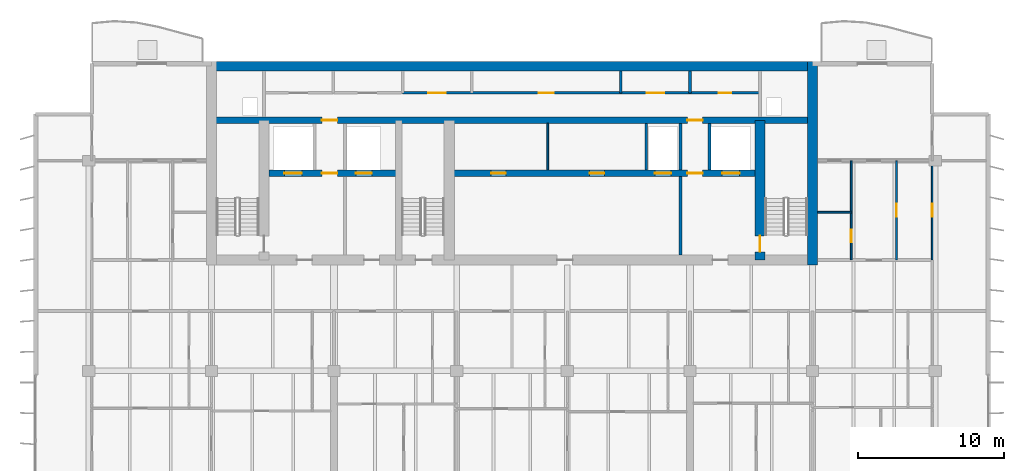
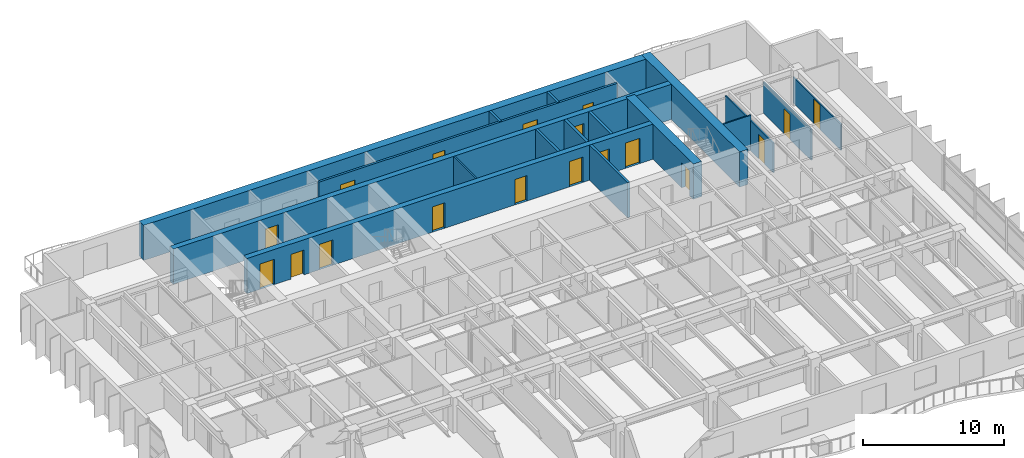
# One storey, part 14 of 19: 18 doors, 17 walls, 18 openings.
"""IFC4 building model written with IfcOpenShell, lengths in metres."""

from ifc_helpers import new_model, si_unit, direction, frame, frame_2d, origin, place, context, subcontext, project, spatial, rectangle, extrude, material, layer, layer_set, type_object, element, fill, save


model = new_model("IFC4")

# Units and contexts
model_context = context("Model", 3, precision=1e-05, world=origin(), true_north=direction((0.0, 1.0)))
body_context = subcontext(model_context, "Body", "Model", "MODEL_VIEW")
ifc_project = project(units=[si_unit("LENGTHUNIT", "METRE"), si_unit("AREAUNIT", "SQUARE_METRE"), si_unit("VOLUMEUNIT", "CUBIC_METRE"), si_unit("PLANEANGLEUNIT", "RADIAN"), si_unit("MASSUNIT", "GRAM", prefix="KILO")], contexts=[model_context])

# Site, building, storey
site_placement = place(None, origin())
site = spatial("IfcSite", under=ifc_project, at=site_placement, CompositionType="ELEMENT")
building_placement = place(site_placement, origin())
building = spatial("IfcBuilding", under=site, at=building_placement, Name="Caelmar Bay Residences", CompositionType="ELEMENT")
storey_placement = place(building_placement, frame((0.0, 0.0, 188.39990234375)))
storey = spatial("IfcBuildingStorey", under=building, at=storey_placement, Name="L52", CompositionType="ELEMENT", Elevation=188.39990234375)

# Wall
ifc_material_1 = material(Name="Concrete f'c 55 MPa (8,000 psi)", Category="concrete")
ifc_layer_1 = layer(ifc_material_1, 0.699951171875)
ifc_layer_set_1 = layer_set([ifc_layer_1], Name="Concrete f'c 55 MPa (8,000 psi)")
wall_type_1 = type_object("IfcWallType", Name="SW-COR-700", PredefinedType="SHEAR", material=ifc_layer_set_1)
wall_1_placement = place(storey_placement, frame((59.5, 36.64990234375, 0.0), z_axis=(0.0, 0.0, 1.0), x_axis=(0.0, 1.0, 0.0)))
element("IfcWall", 1, at=wall_1_placement, inside=storey, type_object=wall_type_1, Name="L52 Rear Core East Shear Wall", PredefinedType="SHEAR", context=body_context, shape_type="SweptSolid", body=[
    extrude(rectangle(XDim=13.9501953125, YDim=0.699951171875, at=frame_2d((6.97509765625, 0.0))), origin(), (0.0, 0.0, 1.0), 3.050048828125),
])

# Wall, opening, door
wall_2_placement = place(storey_placement, frame((55.89990234375, 37.0, 0.0), z_axis=(0.0, 0.0, 1.0), x_axis=(0.0, 1.0, 0.0)))
wall_2 = element("IfcWall", 2, at=wall_2_placement, inside=storey, type_object=wall_type_1, Name="L52 Core Structural Web Wall ST2W", PredefinedType="SHEAR", context=body_context, shape_type="SweptSolid", body=[
    extrude(rectangle(XDim=9.574951171875, YDim=0.699951171875, at=frame_2d((4.78759765625, 0.0))), origin(), (0.0, 0.0, 1.0), 3.050048828125),
])
opening_1_placement = place(wall_2_placement, frame((0.550048828125, 0.0, 0.0)))
opening_1 = element("IfcOpeningElement", 3, at=opening_1_placement, cuts=wall_2, Name="Opening D-L52-110", PredefinedType="OPENING", context=body_context, shape_type="SweptSolid", body=[
    extrude(rectangle(XDim=1.10009765625, YDim=2.14990234375, at=frame_2d((0.550048828125, 1.074951171875))), frame((0.0, 0.35986328125, 0.0), z_axis=(0.0, -1.0, 0.0), x_axis=(1.0, 0.0, 0.0)), (0.0, 0.0, 1.0), 0.719970703125),
])
ifc_material_2 = material(Name="Fire-rated steel and walnut architectural door assembly", Category="steel")
ifc_layer_2 = layer(ifc_material_2, 0.050048828125)
ifc_layer_set_2 = layer_set([ifc_layer_2], Name="Fire-rated steel and walnut architectural door assembly")
door_type_1 = type_object("IfcDoorType", Name="D-STAIR-1100", OperationType="NOTDEFINED", PredefinedType="DOOR", material=ifc_layer_set_2)
door_1_placement = place(opening_1_placement, origin())
door_1 = element("IfcDoor", 4, at=door_1_placement, inside=storey, type_object=door_type_1, Name="L52 Firefighting Lobby East Door", OperationType="SINGLE_SWING_RIGHT", OverallHeight=2.14990234375, OverallWidth=1.10009765625, PredefinedType="DOOR", context=body_context, shape_type="SweptSolid", body=[
    extrude(rectangle(XDim=1.10009765625, YDim=2.14990234375, at=frame_2d((0.550048828125, 1.074951171875))), frame((0.0, 0.02490234375, 0.0), z_axis=(0.0, -1.0, 0.0), x_axis=(1.0, 0.0, 0.0)), (0.0, 0.0, 1.0), 0.050048828125),
])
fill(opening_1, door_1)

# Wall
ifc_layer_3 = layer(ifc_material_1, 0.64990234375)
ifc_layer_set_3 = layer_set([ifc_layer_3], Name="Concrete f'c 55 MPa (8,000 psi)")
wall_type_2 = type_object("IfcWallType", Name="SW-CORN-650", PredefinedType="SHEAR", material=ifc_layer_set_3)
wall_3_placement = place(storey_placement, frame((17.949951171875, 50.27490234375, 0.0), z_axis=(0.0, 0.0, 1.0), x_axis=(1.0, 0.0, 0.0)))
element("IfcWall", 5, at=wall_3_placement, inside=storey, type_object=wall_type_2, Name="L52 Rear Core North Shear Wall", PredefinedType="SHEAR", context=body_context, shape_type="SweptSolid", body=[
    extrude(rectangle(XDim=41.900146484375, YDim=0.64990234375, at=frame_2d((20.9501953125, 0.0))), origin(), (0.0, 0.0, 1.0), 3.050048828125),
])

# Wall, openings, doors
ifc_material_3 = material(Name="Concrete f'c 70 MPa (10,000 psi)", Category="concrete")
ifc_layer_4 = layer(ifc_material_3, 0.449951171875)
ifc_layer_set_4 = layer_set([ifc_layer_4], Name="Concrete f'c 70 MPa (10,000 psi)")
wall_type_3 = type_object("IfcWallType", Name="SW-WEB-450", PredefinedType="SHEAR", material=ifc_layer_set_4)
wall_4_placement = place(storey_placement, frame((22.25, 42.949951171875, 0.0), z_axis=(0.0, 0.0, 1.0), x_axis=(1.0, 0.0, 0.0)))
wall_4 = element("IfcWall", 6, at=wall_4_placement, inside=storey, type_object=wall_type_3, Name="L52 Core Structural Web Wall LFR", PredefinedType="SHEAR", context=body_context, shape_type="SweptSolid", body=[
    extrude(rectangle(XDim=33.300048828125, YDim=0.449951171875, at=frame_2d((16.64990234375, 0.0))), origin(), (0.0, 0.0, 1.0), 3.050048828125),
])
opening_2_placement = place(wall_4_placement, frame((1.050048828125, 0.0, 0.0)))
opening_2 = element("IfcOpeningElement", 7, at=opening_2_placement, cuts=wall_4, Name="Opening LD2", PredefinedType="OPENING", context=body_context, shape_type="SweptSolid", body=[
    extrude(rectangle(XDim=1.199951171875, YDim=2.199951171875, at=frame_2d((0.60009765625, 1.10009765625))), frame((0.0, 0.23486328125, 0.0), z_axis=(0.0, -1.0, 0.0), x_axis=(1.0, 0.0, 0.0)), (0.0, 0.0, 1.0), 0.469970703125),
])
opening_3_placement = place(wall_4_placement, frame((31.050048828125, 0.0, 0.0)))
opening_3 = element("IfcOpeningElement", 8, at=opening_3_placement, cuts=wall_4, Name="Opening LD2", PredefinedType="OPENING", context=body_context, shape_type="SweptSolid", body=[
    extrude(rectangle(XDim=1.199951171875, YDim=2.199951171875, at=frame_2d((0.60009765625, 1.10009765625))), frame((0.0, 0.23486328125, 0.0), z_axis=(0.0, -1.0, 0.0), x_axis=(1.0, 0.0, 0.0)), (0.0, 0.0, 1.0), 0.469970703125),
])
opening_4_placement = place(wall_4_placement, frame((26.449951171875, 0.0, 0.0)))
opening_4 = element("IfcOpeningElement", 9, at=opening_4_placement, cuts=wall_4, Name="Opening LD1", PredefinedType="OPENING", context=body_context, shape_type="SweptSolid", body=[
    extrude(rectangle(XDim=1.10009765625, YDim=2.199951171875, at=frame_2d((0.550048828125, 1.10009765625))), frame((0.0, 0.23486328125, 0.0), z_axis=(0.0, -1.0, 0.0), x_axis=(1.0, 0.0, 0.0)), (0.0, 0.0, 1.0), 0.469970703125),
])
opening_5_placement = place(wall_4_placement, frame((5.949951171875, 0.0, 0.0)))
opening_5 = element("IfcOpeningElement", 10, at=opening_5_placement, cuts=wall_4, Name="Opening LD1", PredefinedType="OPENING", context=body_context, shape_type="SweptSolid", body=[
    extrude(rectangle(XDim=1.10009765625, YDim=2.199951171875, at=frame_2d((0.550048828125, 1.10009765625))), frame((0.0, 0.23486328125, 0.0), z_axis=(0.0, -1.0, 0.0), x_axis=(1.0, 0.0, 0.0)), (0.0, 0.0, 1.0), 0.469970703125),
])
opening_6_placement = place(wall_4_placement, frame((3.625, 0.0, 0.0)))
opening_6 = element("IfcOpeningElement", 11, at=opening_6_placement, cuts=wall_4, Name="Opening D-L52-108", PredefinedType="OPENING", context=body_context, shape_type="SweptSolid", body=[
    extrude(rectangle(XDim=1.050048828125, YDim=2.14990234375, at=frame_2d((0.52490234375, 1.074951171875))), frame((0.0, 0.23486328125, 0.0), z_axis=(0.0, -1.0, 0.0), x_axis=(1.0, 0.0, 0.0)), (0.0, 0.0, 1.0), 0.469970703125),
])
opening_7_placement = place(wall_4_placement, frame((28.675048828125, 0.0, 0.0)))
opening_7 = element("IfcOpeningElement", 12, at=opening_7_placement, cuts=wall_4, Name="Opening D-L52-111", PredefinedType="OPENING", context=body_context, shape_type="SweptSolid", body=[
    extrude(rectangle(XDim=1.050048828125, YDim=2.14990234375, at=frame_2d((0.52490234375, 1.074951171875))), frame((0.0, 0.23486328125, 0.0), z_axis=(0.0, -1.0, 0.0), x_axis=(1.0, 0.0, 0.0)), (0.0, 0.0, 1.0), 0.469970703125),
])
opening_8_placement = place(wall_4_placement, frame((15.22509765625, 0.0, 0.0)))
opening_8 = element("IfcOpeningElement", 13, at=opening_8_placement, cuts=wall_4, Name="Opening D-L52-114", PredefinedType="OPENING", context=body_context, shape_type="SweptSolid", body=[
    extrude(rectangle(XDim=1.0, YDim=2.199951171875, at=frame_2d((0.5, 1.10009765625))), frame((0.0, 0.23486328125, 0.0), z_axis=(0.0, -1.0, 0.0), x_axis=(1.0, 0.0, 0.0)), (0.0, 0.0, 1.0), 0.469970703125),
])
opening_9_placement = place(wall_4_placement, frame((21.97509765625, 0.0, 0.0)))
opening_9 = element("IfcOpeningElement", 14, at=opening_9_placement, cuts=wall_4, Name="Opening D-L52-115", PredefinedType="OPENING", context=body_context, shape_type="SweptSolid", body=[
    extrude(rectangle(XDim=1.0, YDim=2.199951171875, at=frame_2d((0.5, 1.10009765625))), frame((0.0, 0.23486328125, 0.0), z_axis=(0.0, -1.0, 0.0), x_axis=(1.0, 0.0, 0.0)), (0.0, 0.0, 1.0), 0.469970703125),
])
ifc_layer_5 = layer(ifc_material_2, 0.050048828125)
ifc_layer_set_5 = layer_set([ifc_layer_5], Name="Fire-rated steel and walnut architectural door assembly")
door_type_2 = type_object("IfcDoorType", Name="D-FSAE-1050", OperationType="NOTDEFINED", PredefinedType="DOOR", material=ifc_layer_set_5)
door_2_placement = place(opening_6_placement, origin())
door_2 = element("IfcDoor", 15, at=door_2_placement, inside=storey, type_object=door_type_2, Name="L52 Firefighting Lobby West Door", OperationType="SINGLE_SWING_RIGHT", OverallHeight=2.14990234375, OverallWidth=1.050048828125, PredefinedType="DOOR", context=body_context, shape_type="SweptSolid", body=[
    extrude(rectangle(XDim=1.050048828125, YDim=2.14990234375, at=frame_2d((0.52490234375, 1.074951171875))), frame((0.0, 0.02490234375, 0.0), z_axis=(0.0, -1.0, 0.0), x_axis=(1.0, 0.0, 0.0)), (0.0, 0.0, 1.0), 0.050048828125),
])
fill(opening_6, door_2)
door_3_placement = place(opening_7_placement, origin())
door_3 = element("IfcDoor", 16, at=door_3_placement, inside=storey, type_object=door_type_2, Name="L52 Firefighting Lobby East Door", OperationType="SINGLE_SWING_LEFT", OverallHeight=2.14990234375, OverallWidth=1.050048828125, PredefinedType="DOOR", context=body_context, shape_type="SweptSolid", body=[
    extrude(rectangle(XDim=1.050048828125, YDim=2.14990234375, at=frame_2d((0.52490234375, 1.074951171875))), frame((0.0, 0.02490234375, 0.0), z_axis=(0.0, -1.0, 0.0), x_axis=(1.0, 0.0, 0.0)), (0.0, 0.0, 1.0), 0.050048828125),
])
fill(opening_7, door_3)
ifc_material_4 = material(Name="Brushed bronze stainless-steel fire-rated lift landing doors", Category="steel")
ifc_layer_6 = layer(ifc_material_4, 0.050048828125)
ifc_layer_set_6 = layer_set([ifc_layer_6], Name="Brushed bronze stainless-steel fire-rated lift landing doors")
door_type_3 = type_object("IfcDoorType", Name="D-LND-1100", OperationType="DOUBLE_DOOR_SLIDING", PredefinedType="DOOR", material=ifc_layer_set_6)
door_4_placement = place(opening_4_placement, origin())
door_4 = element("IfcDoor", 17, at=door_4_placement, inside=storey, type_object=door_type_3, Name="L52 LP6 Sliding Landing Door", OperationType="DOUBLE_DOOR_SLIDING", OverallHeight=2.199951171875, OverallWidth=1.10009765625, PredefinedType="DOOR", context=body_context, shape_type="SweptSolid", body=[
    extrude(rectangle(XDim=1.10009765625, YDim=2.199951171875, at=frame_2d((0.550048828125, 1.10009765625))), frame((0.0, 0.02490234375, 0.0), z_axis=(0.0, -1.0, 0.0), x_axis=(1.0, 0.0, 0.0)), (0.0, 0.0, 1.0), 0.050048828125),
])
fill(opening_4, door_4)
door_5_placement = place(opening_5_placement, origin())
door_5 = element("IfcDoor", 18, at=door_5_placement, inside=storey, type_object=door_type_3, Name="L52 LP7 Sliding Landing Door", OperationType="DOUBLE_DOOR_SLIDING", OverallHeight=2.199951171875, OverallWidth=1.10009765625, PredefinedType="DOOR", context=body_context, shape_type="SweptSolid", body=[
    extrude(rectangle(XDim=1.10009765625, YDim=2.199951171875, at=frame_2d((0.550048828125, 1.10009765625))), frame((0.0, 0.02490234375, 0.0), z_axis=(0.0, -1.0, 0.0), x_axis=(1.0, 0.0, 0.0)), (0.0, 0.0, 1.0), 0.050048828125),
])
fill(opening_5, door_5)
ifc_material_5 = material(Name="Brushed stainless-steel FSAE sliding landing door", Category="steel")
ifc_layer_7 = layer(ifc_material_5, 0.050048828125)
ifc_layer_set_7 = layer_set([ifc_layer_7], Name="Brushed stainless-steel FSAE sliding landing door")
door_type_4 = type_object("IfcDoorType", Name="D-LND-1200", OperationType="DOUBLE_DOOR_SLIDING", PredefinedType="DOOR", material=ifc_layer_set_7)
door_6_placement = place(opening_2_placement, origin())
door_6 = element("IfcDoor", 19, at=door_6_placement, inside=storey, type_object=door_type_4, Name="L52 LF1 Sliding Landing Door", OperationType="DOUBLE_DOOR_SLIDING", OverallHeight=2.199951171875, OverallWidth=1.199951171875, PredefinedType="DOOR", context=body_context, shape_type="SweptSolid", body=[
    extrude(rectangle(XDim=1.199951171875, YDim=2.199951171875, at=frame_2d((0.60009765625, 1.10009765625))), frame((0.0, 0.02490234375, 0.0), z_axis=(0.0, -1.0, 0.0), x_axis=(1.0, 0.0, 0.0)), (0.0, 0.0, 1.0), 0.050048828125),
])
fill(opening_2, door_6)
door_7_placement = place(opening_3_placement, origin())
door_7 = element("IfcDoor", 20, at=door_7_placement, inside=storey, type_object=door_type_4, Name="L52 LF2 Sliding Landing Door", OperationType="DOUBLE_DOOR_SLIDING", OverallHeight=2.199951171875, OverallWidth=1.199951171875, PredefinedType="DOOR", context=body_context, shape_type="SweptSolid", body=[
    extrude(rectangle(XDim=1.199951171875, YDim=2.199951171875, at=frame_2d((0.60009765625, 1.10009765625))), frame((0.0, 0.02490234375, 0.0), z_axis=(0.0, -1.0, 0.0), x_axis=(1.0, 0.0, 0.0)), (0.0, 0.0, 1.0), 0.050048828125),
])
fill(opening_3, door_7)
ifc_layer_8 = layer(ifc_material_2, 0.050048828125)
ifc_layer_set_8 = layer_set([ifc_layer_8], Name="Fire-rated steel and walnut architectural door assembly")
door_type_5 = type_object("IfcDoorType", Name="D-UNIT-1000", OperationType="NOTDEFINED", PredefinedType="DOOR", material=ifc_layer_set_8)
door_8_placement = place(opening_8_placement, origin())
door_8 = element("IfcDoor", 21, at=door_8_placement, inside=storey, type_object=door_type_5, Name="L52 Music Study Room Door", OperationType="SINGLE_SWING_RIGHT", OverallHeight=2.199951171875, OverallWidth=1.0, PredefinedType="DOOR", context=body_context, shape_type="SweptSolid", body=[
    extrude(rectangle(XDim=1.0, YDim=2.199951171875, at=frame_2d((0.5, 1.10009765625))), frame((0.0, 0.02490234375, 0.0), z_axis=(0.0, -1.0, 0.0), x_axis=(1.0, 0.0, 0.0)), (0.0, 0.0, 1.0), 0.050048828125),
])
fill(opening_8, door_8)
door_9_placement = place(opening_9_placement, origin())
door_9 = element("IfcDoor", 22, at=door_9_placement, inside=storey, type_object=door_type_5, Name="L52 Board Meeting Room Door", OperationType="SINGLE_SWING_LEFT", OverallHeight=2.199951171875, OverallWidth=1.0, PredefinedType="DOOR", context=body_context, shape_type="SweptSolid", body=[
    extrude(rectangle(XDim=1.0, YDim=2.199951171875, at=frame_2d((0.5, 1.10009765625))), frame((0.0, 0.02490234375, 0.0), z_axis=(0.0, -1.0, 0.0), x_axis=(1.0, 0.0, 0.0)), (0.0, 0.0, 1.0), 0.050048828125),
])
fill(opening_9, door_9)

wall_5_placement = place(storey_placement, frame((18.300048828125, 46.574951171875, 0.0), z_axis=(0.0, 0.0, 1.0), x_axis=(1.0, 0.0, 0.0)))
wall_5 = element("IfcWall", 23, at=wall_5_placement, inside=storey, type_object=wall_type_3, Name="L52 Core Structural Web Wall SRVS", PredefinedType="SHEAR", context=body_context, shape_type="SweptSolid", body=[
    extrude(rectangle(XDim=41.199951171875, YDim=0.449951171875, at=frame_2d((20.60009765625, 0.0))), origin(), (0.0, 0.0, 1.0), 3.050048828125),
])
opening_10_placement = place(wall_5_placement, frame((7.574951171875, 0.0, 0.0)))
opening_10 = element("IfcOpeningElement", 24, at=opening_10_placement, cuts=wall_5, Name="Opening D-L52-116", PredefinedType="OPENING", context=body_context, shape_type="SweptSolid", body=[
    extrude(rectangle(XDim=1.050048828125, YDim=2.14990234375, at=frame_2d((0.52490234375, 1.074951171875))), frame((0.0, 0.23486328125, 0.0), z_axis=(0.0, -1.0, 0.0), x_axis=(1.0, 0.0, 0.0)), (0.0, 0.0, 1.0), 0.469970703125),
])
opening_11_placement = place(wall_5_placement, frame((32.625, 0.0, 0.0)))
opening_11 = element("IfcOpeningElement", 25, at=opening_11_placement, cuts=wall_5, Name="Opening D-L52-117", PredefinedType="OPENING", context=body_context, shape_type="SweptSolid", body=[
    extrude(rectangle(XDim=1.050048828125, YDim=2.14990234375, at=frame_2d((0.52490234375, 1.074951171875))), frame((0.0, 0.23486328125, 0.0), z_axis=(0.0, -1.0, 0.0), x_axis=(1.0, 0.0, 0.0)), (0.0, 0.0, 1.0), 0.469970703125),
])
door_10_placement = place(opening_10_placement, origin())
door_10 = element("IfcDoor", 26, at=door_10_placement, inside=storey, type_object=door_type_2, Name="L52 Core Service Corridor Door", OperationType="SINGLE_SWING_RIGHT", OverallHeight=2.14990234375, OverallWidth=1.050048828125, PredefinedType="DOOR", context=body_context, shape_type="SweptSolid", body=[
    extrude(rectangle(XDim=1.050048828125, YDim=2.14990234375, at=frame_2d((0.52490234375, 1.074951171875))), frame((0.0, 0.02490234375, 0.0), z_axis=(0.0, -1.0, 0.0), x_axis=(1.0, 0.0, 0.0)), (0.0, 0.0, 1.0), 0.050048828125),
])
fill(opening_10, door_10)
door_11_placement = place(opening_11_placement, origin())
door_11 = element("IfcDoor", 27, at=door_11_placement, inside=storey, type_object=door_type_2, Name="L52 Core Service Corridor Door", OperationType="SINGLE_SWING_LEFT", OverallHeight=2.14990234375, OverallWidth=1.050048828125, PredefinedType="DOOR", context=body_context, shape_type="SweptSolid", body=[
    extrude(rectangle(XDim=1.050048828125, YDim=2.14990234375, at=frame_2d((0.52490234375, 1.074951171875))), frame((0.0, 0.02490234375, 0.0), z_axis=(0.0, -1.0, 0.0), x_axis=(1.0, 0.0, 0.0)), (0.0, 0.0, 1.0), 0.050048828125),
])
fill(opening_11, door_11)

# Walls
ifc_material_6 = material(Name="Double-stud acoustic fire-rated gypsum partition 180 mm")
ifc_layer_9 = layer(ifc_material_6, 0.179931640625)
ifc_layer_set_9 = layer_set([ifc_layer_9], Name="Double-stud acoustic fire-rated gypsum partition 180 mm")
wall_type_4 = type_object("IfcWallType", Name="W-COR-200", PredefinedType="PARTITIONING", material=ifc_layer_set_9)
for number, where, z_axis, x_axis, name in (
    (28, (46.35009765625, 48.449951171875, 0.0), (0.0, 0.0, 1.0), (0.0, 1.0, 0.0), "L52 Partition Wall V058"),
    (29, (51.10009765625, 48.449951171875, 0.0), (0.0, 0.0, 1.0), (0.0, 1.0, 0.0), "L52 Partition Wall V068"),
):
    element("IfcWall", number, at=place(storey_placement, frame(where, z_axis=z_axis, x_axis=x_axis)), inside=storey, type_object=wall_type_4, Name=name, PredefinedType="PARTITIONING", context=body_context, shape_type="SweptSolid", body=[
        extrude(rectangle(XDim=1.505126953125, YDim=0.179931640625, at=frame_2d((0.75244140625, 0.0))), origin(), (0.0, 0.0, 1.0), 3.050048828125),
    ])

# Wall, openings, doors
wall_6_placement = place(storey_placement, frame((31.39990234375, 48.449951171875, 0.0), z_axis=(0.0, 0.0, 1.0), x_axis=(1.0, 0.0, 0.0)))
wall_6 = element("IfcWall", 30, at=wall_6_placement, inside=storey, type_object=wall_type_4, Name="L52 Partition Wall H136", PredefinedType="PARTITIONING", context=body_context, shape_type="SweptSolid", body=[
    extrude(rectangle(XDim=24.5, YDim=0.179931640625, at=frame_2d((12.25, 0.0))), origin(), (0.0, 0.0, 1.0), 3.050048828125),
])
opening_12_placement = place(wall_6_placement, frame((1.77490234375, 0.0, 0.0)))
opening_12 = element("IfcOpeningElement", 31, at=opening_12_placement, cuts=wall_6, Name="Opening D-L52-120", PredefinedType="OPENING", context=body_context, shape_type="SweptSolid", body=[
    extrude(rectangle(XDim=1.199951171875, YDim=2.199951171875, at=frame_2d((0.60009765625, 1.10009765625))), frame((0.0, 0.099853515625, 0.0), z_axis=(0.0, -1.0, 0.0), x_axis=(1.0, 0.0, 0.0)), (0.0, 0.0, 1.0), 0.199951171875),
])
opening_13_placement = place(wall_6_placement, frame((9.35009765625, 0.0, 0.0)))
opening_13 = element("IfcOpeningElement", 32, at=opening_13_placement, cuts=wall_6, Name="Opening D-L52-121", PredefinedType="OPENING", context=body_context, shape_type="SweptSolid", body=[
    extrude(rectangle(XDim=1.0, YDim=2.199951171875, at=frame_2d((0.5, 1.10009765625))), frame((0.0, 0.099853515625, 0.0), z_axis=(0.0, -1.0, 0.0), x_axis=(1.0, 0.0, 0.0)), (0.0, 0.0, 1.0), 0.199951171875),
])
opening_14_placement = place(wall_6_placement, frame((16.72509765625, 0.0, 0.0)))
opening_14 = element("IfcOpeningElement", 33, at=opening_14_placement, cuts=wall_6, Name="Opening D-L52-122", PredefinedType="OPENING", context=body_context, shape_type="SweptSolid", body=[
    extrude(rectangle(XDim=1.199951171875, YDim=2.199951171875, at=frame_2d((0.60009765625, 1.10009765625))), frame((0.0, 0.099853515625, 0.0), z_axis=(0.0, -1.0, 0.0), x_axis=(1.0, 0.0, 0.0)), (0.0, 0.0, 1.0), 0.199951171875),
])
opening_15_placement = place(wall_6_placement, frame((21.675048828125, 0.0, 0.0)))
opening_15 = element("IfcOpeningElement", 34, at=opening_15_placement, cuts=wall_6, Name="Opening D-L52-123", PredefinedType="OPENING", context=body_context, shape_type="SweptSolid", body=[
    extrude(rectangle(XDim=0.85009765625, YDim=2.10009765625, at=frame_2d((0.425048828125, 1.050048828125))), frame((0.0, 0.099853515625, 0.0), z_axis=(0.0, -1.0, 0.0), x_axis=(1.0, 0.0, 0.0)), (0.0, 0.0, 1.0), 0.199951171875),
])
ifc_layer_10 = layer(ifc_material_2, 0.050048828125)
ifc_layer_set_10 = layer_set([ifc_layer_10], Name="Fire-rated steel and walnut architectural door assembly")
door_type_6 = type_object("IfcDoorType", Name="D-CORE-850", OperationType="NOTDEFINED", PredefinedType="DOOR", material=ifc_layer_set_10)
door_12_placement = place(opening_15_placement, origin())
door_12 = element("IfcDoor", 35, at=door_12_placement, inside=storey, type_object=door_type_6, Name="L52 Staff Restroom Door", OperationType="SINGLE_SWING_LEFT", OverallHeight=2.10009765625, OverallWidth=0.85009765625, PredefinedType="DOOR", context=body_context, shape_type="SweptSolid", body=[
    extrude(rectangle(XDim=0.85009765625, YDim=2.10009765625, at=frame_2d((0.425048828125, 1.050048828125))), frame((0.0, 0.02490234375, 0.0), z_axis=(0.0, -1.0, 0.0), x_axis=(1.0, 0.0, 0.0)), (0.0, 0.0, 1.0), 0.050048828125),
])
fill(opening_15, door_12)
ifc_layer_11 = layer(ifc_material_2, 0.050048828125)
ifc_layer_set_11 = layer_set([ifc_layer_11], Name="Fire-rated steel and walnut architectural door assembly")
door_type_7 = type_object("IfcDoorType", Name="D-PLANT-1200", OperationType="NOTDEFINED", PredefinedType="DOOR", material=ifc_layer_set_11)
door_13_placement = place(opening_12_placement, origin())
door_13 = element("IfcDoor", 36, at=door_13_placement, inside=storey, type_object=door_type_7, Name="L52 Low-Voltage Data Closet Door", OperationType="SINGLE_SWING_RIGHT", OverallHeight=2.199951171875, OverallWidth=1.199951171875, PredefinedType="DOOR", context=body_context, shape_type="SweptSolid", body=[
    extrude(rectangle(XDim=1.199951171875, YDim=2.199951171875, at=frame_2d((0.60009765625, 1.10009765625))), frame((0.0, 0.02490234375, 0.0), z_axis=(0.0, -1.0, 0.0), x_axis=(1.0, 0.0, 0.0)), (0.0, 0.0, 1.0), 0.050048828125),
])
fill(opening_12, door_13)
door_14_placement = place(opening_14_placement, origin())
door_14 = element("IfcDoor", 37, at=door_14_placement, inside=storey, type_object=door_type_7, Name="L52 Valet Trunk Closet Door", OperationType="SINGLE_SWING_RIGHT", OverallHeight=2.199951171875, OverallWidth=1.199951171875, PredefinedType="DOOR", context=body_context, shape_type="SweptSolid", body=[
    extrude(rectangle(XDim=1.199951171875, YDim=2.199951171875, at=frame_2d((0.60009765625, 1.10009765625))), frame((0.0, 0.02490234375, 0.0), z_axis=(0.0, -1.0, 0.0), x_axis=(1.0, 0.0, 0.0)), (0.0, 0.0, 1.0), 0.050048828125),
])
fill(opening_14, door_14)
door_15_placement = place(opening_13_placement, origin())
door_15 = element("IfcDoor", 38, at=door_15_placement, inside=storey, type_object=door_type_5, Name="L52 Mail Sorting Office Door", OperationType="SINGLE_SWING_LEFT", OverallHeight=2.199951171875, OverallWidth=1.0, PredefinedType="DOOR", context=body_context, shape_type="SweptSolid", body=[
    extrude(rectangle(XDim=1.0, YDim=2.199951171875, at=frame_2d((0.5, 1.10009765625))), frame((0.0, 0.02490234375, 0.0), z_axis=(0.0, -1.0, 0.0), x_axis=(1.0, 0.0, 0.0)), (0.0, 0.0, 1.0), 0.050048828125),
])
fill(opening_13, door_15)

# Walls
ifc_material_7 = material(Name="Fire-rated masonry and gypsum shaftliner assembly 200 mm", Category="masonry")
ifc_layer_12 = layer(ifc_material_7, 0.199951171875)
ifc_layer_set_12 = layer_set([ifc_layer_12], Name="Fire-rated masonry and gypsum shaftliner assembly 200 mm")
wall_type_5 = type_object("IfcWallType", Name="W-FSAE-200", PredefinedType="PARTITIONING", material=ifc_layer_set_12)
wall_7_placement = place(storey_placement, frame((48.10009765625, 43.169921875, 0.0), z_axis=(0.0, 0.0, 1.0), x_axis=(0.0, 1.0, 0.0)))
element("IfcWall", 39, at=wall_7_placement, inside=storey, type_object=wall_type_5, Name="L52 Partition Wall V059", PredefinedType="PARTITIONING", context=body_context, shape_type="SweptSolid", body=[
    extrude(rectangle(XDim=3.18505859375, YDim=0.199951171875, at=frame_2d((1.592529296875, 0.0))), origin(), (0.0, 0.0, 1.0), 3.050048828125),
])
wall_8_placement = place(storey_placement, frame((50.449951171875, 37.344970703125, 0.0), z_axis=(0.0, 0.0, 1.0), x_axis=(0.0, 1.0, 0.0)))
element("IfcWall", 40, at=wall_8_placement, inside=storey, type_object=wall_type_5, Name="L52 Partition Wall V063", PredefinedType="PARTITIONING", context=body_context, shape_type="SweptSolid", body=[
    extrude(rectangle(XDim=5.385009765625, YDim=0.199951171875, at=frame_2d((2.6923828125, 0.0))), origin(), (0.0, 0.0, 1.0), 3.050048828125),
])
for number, where, z_axis, x_axis, name in (
    (41, (50.449951171875, 43.169921875, 0.0), (0.0, 0.0, 1.0), (0.0, 1.0, 0.0), "L52 Partition Wall V064"),
    (42, (52.449951171875, 43.169921875, 0.0), (0.0, 0.0, 1.0), (0.0, 1.0, 0.0), "L52 Partition Wall V069"),
):
    element("IfcWall", number, at=place(storey_placement, frame(where, z_axis=z_axis, x_axis=x_axis)), inside=storey, type_object=wall_type_5, Name=name, PredefinedType="PARTITIONING", context=body_context, shape_type="SweptSolid", body=[
        extrude(rectangle(XDim=3.18505859375, YDim=0.199951171875, at=frame_2d((1.592529296875, 0.0))), origin(), (0.0, 0.0, 1.0), 3.050048828125),
    ])

# Wall, opening, door
ifc_material_8 = material(Name="Anodised bronze framed acoustic sliding study partition 100 mm")
ifc_layer_13 = layer(ifc_material_8, 0.10009765625)
ifc_layer_set_13 = layer_set([ifc_layer_13], Name="Anodised bronze framed acoustic sliding study partition 100 mm")
wall_type_6 = type_object("IfcWallType", Name="W-MOV-100", PredefinedType="MOVABLE", material=ifc_layer_set_13)
wall_9_placement = place(storey_placement, frame((67.699951171875, 37.0048828125, 0.0), z_axis=(0.0, 0.0, 1.0), x_axis=(0.0, 1.0, 0.0)))
wall_9 = element("IfcWall", 43, at=wall_9_placement, inside=storey, type_object=wall_type_6, Name="L52 Partition Wall V102", PredefinedType="MOVABLE", context=body_context, shape_type="SweptSolid", body=[
    extrude(rectangle(XDim=6.795166015625, YDim=0.10009765625, at=frame_2d((3.3974609375, 0.0))), origin(), (0.0, 0.0, 1.0), 2.26318359375),
])
opening_16_placement = place(wall_9_placement, frame((2.947509765625, 0.0, 0.0)))
opening_16 = element("IfcOpeningElement", 44, at=opening_16_placement, cuts=wall_9, Name="Opening D-L52-175", PredefinedType="OPENING", context=body_context, shape_type="SweptSolid", body=[
    extrude(rectangle(XDim=0.89990234375, YDim=2.14990234375, at=frame_2d((0.449951171875, 1.074951171875))), frame((0.0, 0.06005859375, 0.0), z_axis=(0.0, -1.0, 0.0), x_axis=(1.0, 0.0, 0.0)), (0.0, 0.0, 1.0), 0.1201171875),
])
ifc_material_9 = material(Name="Solid walnut timber interior door leaf and frame", Category="wood")
ifc_layer_14 = layer(ifc_material_9, 0.050048828125)
ifc_layer_set_14 = layer_set([ifc_layer_14], Name="Solid walnut timber interior door leaf and frame")
door_type_8 = type_object("IfcDoorType", Name="D-ROOM-900", OperationType="NOTDEFINED", PredefinedType="DOOR", material=ifc_layer_set_14)
door_16_placement = place(opening_16_placement, origin())
door_16 = element("IfcDoor", 45, at=door_16_placement, inside=storey, type_object=door_type_8, Name="L52 Residence EA Sun Study Door", OperationType="SINGLE_SWING_LEFT", OverallHeight=2.14990234375, OverallWidth=0.89990234375, PredefinedType="DOOR", context=body_context, shape_type="SweptSolid", body=[
    extrude(rectangle(XDim=0.89990234375, YDim=2.14990234375, at=frame_2d((0.449951171875, 1.074951171875))), frame((0.0, 0.02490234375, 0.0), z_axis=(0.0, -1.0, 0.0), x_axis=(1.0, 0.0, 0.0)), (0.0, 0.0, 1.0), 0.050048828125),
])
fill(opening_16, door_16)

# Wall
ifc_material_10 = material(Name="Acoustic metal-stud gypsum partition 120 mm")
ifc_layer_15 = layer(ifc_material_10, 0.1201171875)
ifc_layer_set_15 = layer_set([ifc_layer_15], Name="Acoustic metal-stud gypsum partition 120 mm")
wall_type_7 = type_object("IfcWallType", Name="W-PRT-120", PredefinedType="PARTITIONING", material=ifc_layer_set_15)
wall_10_placement = place(storey_placement, frame((41.35009765625, 43.169921875, 0.0), z_axis=(0.0, 0.0, 1.0), x_axis=(0.0, 1.0, 0.0)))
element("IfcWall", 46, at=wall_10_placement, inside=storey, type_object=wall_type_7, Name="L52 Partition Wall V050", PredefinedType="PARTITIONING", context=body_context, shape_type="SweptSolid", body=[
    extrude(rectangle(XDim=3.18505859375, YDim=0.1201171875, at=frame_2d((1.592529296875, 0.0))), origin(), (0.0, 0.0, 1.0), 3.050048828125),
])

# Wall, opening, door
wall_11_placement = place(storey_placement, frame((62.14990234375, 37.0, 0.0), z_axis=(0.0, 0.0, 1.0), x_axis=(0.0, 1.0, 0.0)))
wall_11 = element("IfcWall", 47, at=wall_11_placement, inside=storey, type_object=wall_type_7, Name="L52 Partition Wall V085", PredefinedType="PARTITIONING", context=body_context, shape_type="SweptSolid", body=[
    extrude(rectangle(XDim=6.800048828125, YDim=0.1201171875, at=frame_2d((3.39990234375, 0.0))), origin(), (0.0, 0.0, 1.0), 2.578125),
])
opening_17_placement = place(wall_11_placement, frame((1.20703125, 0.0, 0.0)))
opening_17 = element("IfcOpeningElement", 48, at=opening_17_placement, cuts=wall_11, Name="Opening D-L52-173", PredefinedType="OPENING", context=body_context, shape_type="SweptSolid", body=[
    extrude(rectangle(XDim=0.85009765625, YDim=2.10009765625, at=frame_2d((0.425048828125, 1.050048828125))), frame((0.0, 0.070068359375, 0.0), z_axis=(0.0, -1.0, 0.0), x_axis=(1.0, 0.0, 0.0)), (0.0, 0.0, 1.0), 0.14013671875),
])
ifc_layer_16 = layer(ifc_material_9, 0.050048828125)
ifc_layer_set_16 = layer_set([ifc_layer_16], Name="Solid walnut timber interior door leaf and frame")
door_type_9 = type_object("IfcDoorType", Name="D-BATH-850", OperationType="NOTDEFINED", PredefinedType="DOOR", material=ifc_layer_set_16)
door_17_placement = place(opening_17_placement, origin())
door_17 = element("IfcDoor", 49, at=door_17_placement, inside=storey, type_object=door_type_9, Name="L52 Residence EA Walk-In Closet Door", OperationType="SINGLE_SWING_LEFT", OverallHeight=2.10009765625, OverallWidth=0.85009765625, PredefinedType="DOOR", context=body_context, shape_type="SweptSolid", body=[
    extrude(rectangle(XDim=0.85009765625, YDim=2.10009765625, at=frame_2d((0.425048828125, 1.050048828125))), frame((0.0, 0.02490234375, 0.0), z_axis=(0.0, -1.0, 0.0), x_axis=(1.0, 0.0, 0.0)), (0.0, 0.0, 1.0), 0.050048828125),
])
fill(opening_17, door_17)

wall_12_placement = place(storey_placement, frame((65.258056640625, 37.0, 0.0), z_axis=(0.0, 0.0, 1.0), x_axis=(0.0, 1.0, 0.0)))
wall_12 = element("IfcWall", 50, at=wall_12_placement, inside=storey, type_object=wall_type_7, Name="L52 Partition Wall V092", PredefinedType="PARTITIONING", context=body_context, shape_type="SweptSolid", body=[
    extrude(rectangle(XDim=6.800048828125, YDim=0.1201171875, at=frame_2d((3.39990234375, 0.0))), origin(), (0.0, 0.0, 1.0), 2.67919921875),
])
opening_18_placement = place(wall_12_placement, frame((2.949951171875, 0.0, 0.0)))
opening_18 = element("IfcOpeningElement", 51, at=opening_18_placement, cuts=wall_12, Name="Opening D-L52-170", PredefinedType="OPENING", context=body_context, shape_type="SweptSolid", body=[
    extrude(rectangle(XDim=0.89990234375, YDim=2.14990234375, at=frame_2d((0.449951171875, 1.074951171875))), frame((0.0, 0.070068359375, 0.0), z_axis=(0.0, -1.0, 0.0), x_axis=(1.0, 0.0, 0.0)), (0.0, 0.0, 1.0), 0.14013671875),
])
door_18_placement = place(opening_18_placement, origin())
door_18 = element("IfcDoor", 52, at=door_18_placement, inside=storey, type_object=door_type_8, Name="L52 Residence EA Dining Room Door", OperationType="SINGLE_SWING_RIGHT", OverallHeight=2.14990234375, OverallWidth=0.89990234375, PredefinedType="DOOR", context=body_context, shape_type="SweptSolid", body=[
    extrude(rectangle(XDim=0.89990234375, YDim=2.14990234375, at=frame_2d((0.449951171875, 1.074951171875))), frame((0.0, 0.02490234375, 0.0), z_axis=(0.0, -1.0, 0.0), x_axis=(1.0, 0.0, 0.0)), (0.0, 0.0, 1.0), 0.050048828125),
])
fill(opening_18, door_18)

# Wall
wall_13_placement = place(storey_placement, frame((59.844970703125, 40.263916015625, 0.0), z_axis=(0.0, 0.0, 1.0), x_axis=(1.0, 0.0, 0.0)))
element("IfcWall", 53, at=wall_13_placement, inside=storey, type_object=wall_type_7, Name="L52 Partition Wall H131", PredefinedType="PARTITIONING", context=body_context, shape_type="SweptSolid", body=[
    extrude(rectangle(XDim=2.304931640625, YDim=0.1201171875, at=frame_2d((1.15234375, 0.0))), origin(), (0.0, 0.0, 1.0), 3.050048828125),
])

save(model, "model.ifc")
